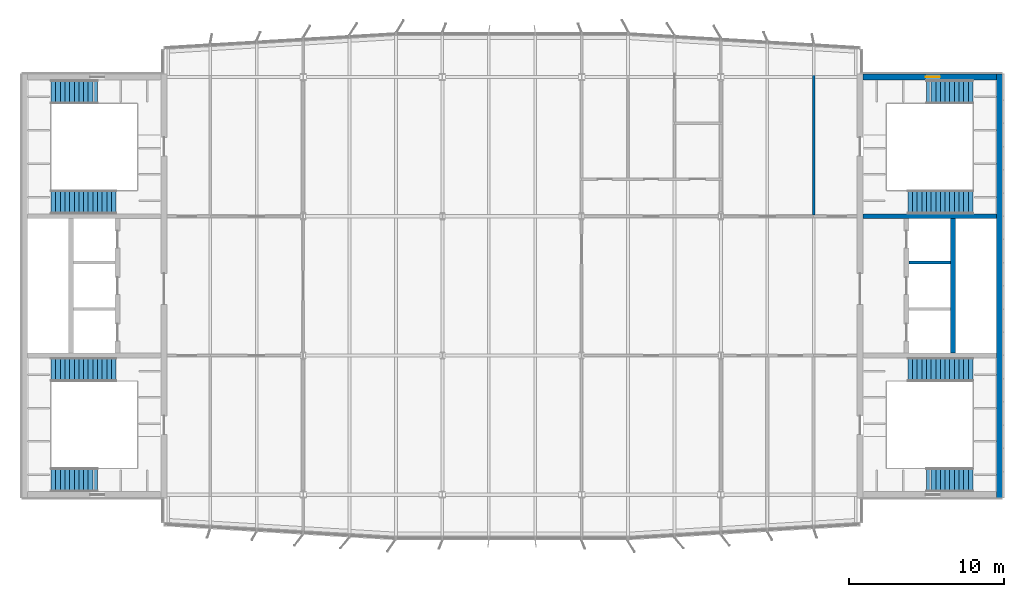
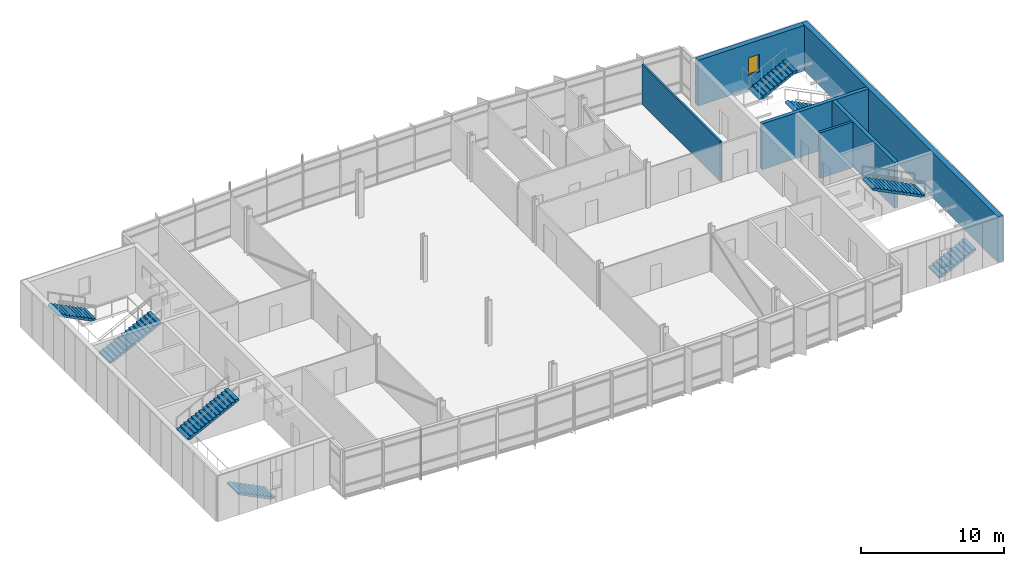
# One storey, part 14 of 18: 8 stair flights, 6 walls, 1 window, 1 opening, 4 elements without a shape of their own.
"""IFC4 building model written with IfcOpenShell, lengths in metres."""

from ifc_helpers import new_model, si_unit, direction, frame, frame_2d, origin, place, context, subcontext, project, spatial, polyline, rectangle, outline, extrude, material, layer, layer_set, type_object, element, fill, aggregate, save


model = new_model("IFC4")

# Units and contexts
model_context = context("Model", 3, precision=1e-05, world=origin(), true_north=direction((0.0, 1.0)))
body_context = subcontext(model_context, "Body", "Model", "MODEL_VIEW")
ifc_project = project(units=[si_unit("LENGTHUNIT", "METRE"), si_unit("AREAUNIT", "SQUARE_METRE"), si_unit("VOLUMEUNIT", "CUBIC_METRE"), si_unit("PLANEANGLEUNIT", "RADIAN"), si_unit("MASSUNIT", "GRAM", prefix="KILO")], contexts=[model_context])

# Site, building, storey
site_placement = place(None, origin())
site = spatial("IfcSite", under=ifc_project, at=site_placement, CompositionType="ELEMENT")
building_placement = place(site_placement, origin())
building = spatial("IfcBuilding", under=site, at=building_placement, Name="Azimuth Sports and Learning Centre", CompositionType="ELEMENT")
storey_placement = place(building_placement, frame((0.0, 0.0, 59.699951171875)))
storey = spatial("IfcBuildingStorey", under=building, at=storey_placement, Name="L13", CompositionType="ELEMENT", Elevation=59.699951171875)

# Walls
ifc_material_1 = material(Name="Dense masonry blockwork", Category="masonry")
ifc_layer_1 = layer(ifc_material_1, 0.199951171875)
ifc_layer_set_1 = layer_set([ifc_layer_1], Name="Dense masonry blockwork")
wall_type_1 = type_object("IfcWallType", Name="Blockwork wall 200 EI 120", PredefinedType="SOLIDWALL", material=ifc_layer_set_1)
wall_1_placement = place(storey_placement, frame((111.14990234375, 105.0, 0.0), z_axis=(0.0, 0.0, 1.0), x_axis=(1.0, 0.0, 0.0)))
element("IfcWall", 1, at=wall_1_placement, inside=storey, type_object=wall_type_1, Name="SD-E-2-L13", PredefinedType="SOLIDWALL", context=body_context, shape_type="SweptSolid", body=[
    extrude(rectangle(XDim=2.7001953125, YDim=0.199951171875, at=frame_2d((1.35009765625, 0.0))), origin(), (0.0, 0.0, 1.0), 3.900146484375),
])
ifc_material_2 = material(Name="Lightweight blockwork, rendered", Category="masonry")
ifc_layer_2 = layer(ifc_material_2, 0.14990234375)
ifc_layer_set_2 = layer_set([ifc_layer_2], Name="Lightweight blockwork, rendered")
wall_type_2 = type_object("IfcWallType", Name="Partition 150 EI 60", PredefinedType="PARTITIONING", material=ifc_layer_set_2)
wall_2_placement = place(storey_placement, frame((105.0, 108.074951171875, 0.0), z_axis=(0.0, 0.0, 1.0), x_axis=(0.0, 1.0, 0.0)))
element("IfcWall", 2, at=wall_2_placement, inside=storey, type_object=wall_type_2, Name="Partition Stair Lobby E2 13.04 / Classroom 13.18", PredefinedType="PARTITIONING", context=body_context, shape_type="SweptSolid", body=[
    extrude(rectangle(XDim=10.905029296875, YDim=0.14990234375, at=frame_2d((5.45263671875, 0.0))), origin(), (0.0, 0.0, 1.0), 3.41015625),
])
ifc_material_3 = material(Name="Concrete C40/50", Category="concrete")
ifc_layer_3 = layer(ifc_material_3, 0.300048828125)
ifc_layer_set_3 = layer_set([ifc_layer_3], Name="Concrete C40/50")
wall_type_3 = type_object("IfcWallType", Name="RC core wall 300", PredefinedType="SHEAR", material=ifc_layer_set_3)
wall_3_placement = place(storey_placement, frame((108.199951171875, 108.0, 0.0), z_axis=(0.0, 0.0, 1.0), x_axis=(1.0, 0.0, 0.0)))
element("IfcWall", 3, at=wall_3_placement, inside=storey, type_object=wall_type_3, Name="Core wall E D2 L13", PredefinedType="SHEAR", context=body_context, shape_type="SweptSolid", body=[
    extrude(rectangle(XDim=8.60009765625, YDim=0.300048828125, at=frame_2d((4.300048828125, 0.0))), origin(), (0.0, 0.0, 1.0), 3.900146484375),
])
wall_4_placement = place(storey_placement, frame((114.0, 99.14990234375, 0.0), z_axis=(0.0, 0.0, 1.0), x_axis=(0.0, 1.0, 0.0)))
element("IfcWall", 4, at=wall_4_placement, inside=storey, type_object=wall_type_3, Name="Core wall E LB2 L13", PredefinedType="SHEAR", context=body_context, shape_type="SweptSolid", body=[
    extrude(rectangle(XDim=8.7001953125, YDim=0.300048828125, at=frame_2d((4.35009765625, 0.0))), origin(), (0.0, 0.0, 1.0), 3.900146484375),
])

# Wall, opening, window
ifc_material_4 = material(Name="Concrete C40/50", Category="concrete")
ifc_layer_4 = layer(ifc_material_4, 0.39990234375)
ifc_layer_set_4 = layer_set([ifc_layer_4], Name="Concrete C40/50")
wall_type_4 = type_object("IfcWallType", Name="RC external core wall 400", PredefinedType="SHEAR", material=ifc_layer_set_4)
wall_5_placement = place(storey_placement, frame((108.199951171875, 117.0, 0.0), z_axis=(0.0, 0.0, 1.0), x_axis=(1.0, 0.0, 0.0)))
wall_5 = element("IfcWall", 5, at=wall_5_placement, inside=storey, type_object=wall_type_4, Name="Core wall E N L13", PredefinedType="SHEAR", context=body_context, shape_type="SweptSolid", body=[
    extrude(rectangle(XDim=8.60009765625, YDim=0.39990234375, at=frame_2d((4.300048828125, 0.0))), origin(), (0.0, 0.0, 1.0), 3.900146484375),
])
opening_placement = place(wall_5_placement, frame((4.050048828125, 0.0, 1.199951171875)))
opening = element("IfcOpeningElement", 6, at=opening_placement, cuts=wall_5, Name="Opening W13-003", PredefinedType="OPENING", context=body_context, shape_type="SweptSolid", body=[
    extrude(rectangle(XDim=0.89990234375, YDim=1.5, at=frame_2d((0.449951171875, 0.75))), frame((0.0, 0.2109375, 0.0), z_axis=(0.0, -1.0, 0.0), x_axis=(1.0, 0.0, 0.0)), (0.0, 0.0, 1.0), 0.421875),
])
ifc_material_5 = material(Name="Aluminium and glass", Category="aluminium")
window_type = type_object("IfcWindowType", Name="Stair window tower core 900x1500", PartitioningType="SINGLE_PANEL", PredefinedType="WINDOW", material=ifc_material_5)
window_placement = place(opening_placement, origin())
window = element("IfcWindow", 7, at=window_placement, inside=storey, type_object=window_type, Name="Window W13-003", OverallHeight=1.5, OverallWidth=0.89990234375, PartitioningType="SINGLE_PANEL", PredefinedType="WINDOW", context=body_context, shape_type="SweptSolid", body=[
    extrude(rectangle(XDim=0.89990234375, YDim=1.5, at=frame_2d((0.449951171875, 0.75))), frame((0.0, 0.030029296875, 0.0), z_axis=(0.0, -1.0, 0.0), x_axis=(1.0, 0.0, 0.0)), (0.0, 0.0, 1.0), 0.06005859375),
])
fill(opening, window)

# Wall
wall_6_placement = place(storey_placement, frame((117.0, 89.800048828125, 0.0), z_axis=(0.0, 0.0, 1.0), x_axis=(0.0, 1.0, 0.0)))
element("IfcWall", 8, at=wall_6_placement, inside=storey, type_object=wall_type_4, Name="Core wall E E L13", PredefinedType="SHEAR", context=body_context, shape_type="SweptSolid", body=[
    extrude(rectangle(XDim=27.39990234375, YDim=0.39990234375, at=frame_2d((13.699951171875, 0.0))), origin(), (0.0, 0.0, 1.0), 3.900146484375),
])

# Stair, stair flight
ifc_material_6 = material(Name="Concrete C32/40", Category="concrete")
stair_type = type_object("IfcStairType", Name="Square-well stair core 3900 storey", PredefinedType="THREE_QUARTER_TURN_STAIR", material=ifc_material_6)
stair_1_placement = place(storey_placement, origin())
stair_1 = element("IfcStair", 9, at=stair_1_placement, inside=storey, type_object=stair_type, Name="Stair W1 L13-L14", PredefinedType="THREE_QUARTER_TURN_STAIR")
ifc_material_7 = material(Name="Concrete C32/40", Category="concrete")
stair_flight_type_1 = type_object("IfcStairFlightType", Name="Stair flight 11 risers", PredefinedType="STRAIGHT", material=ifc_material_7)
stair_flight_1_placement = place(storey_placement, frame((58.7099609375, 90.9599609375, 0.0), z_axis=(0.0, 0.0, 1.0), x_axis=(-1.0, 0.0, 0.0)))
stair_flight_1 = element("IfcStairFlight", 10, at=stair_flight_1_placement, type_object=stair_flight_type_1, Name="Stair W1 L13 flight 1", NumberOfRisers=11, NumberOfTreads=10, PredefinedType="STRAIGHT", RiserHeight=0.15, TreadLength=0.3, context=body_context, shape_type="SweptSolid", body=[
    extrude(outline(polyline([(0.0, 0.0), (0.0, 0.14990234375), (0.300048828125, 0.14990234375), (0.300048828125, 0.300048828125), (0.60009765625, 0.300048828125), (0.60009765625, 0.449951171875), (0.89990234375, 0.449951171875), (0.89990234375, 0.60009765625), (1.199951171875, 0.60009765625), (1.199951171875, 0.75), (1.5, 0.75), (1.5, 0.89990234375), (1.800048828125, 0.89990234375), (1.800048828125, 1.050048828125), (2.10009765625, 1.050048828125), (2.10009765625, 1.199951171875), (2.39990234375, 1.199951171875), (2.39990234375, 1.35009765625), (2.699951171875, 1.35009765625), (2.699951171875, 1.5), (3.0, 1.5), (3.0, 1.64990234375), (3.0, 1.33251953125), (0.335205078125, 0.0), (0.0, 0.0)])), frame((0.0, 0.75, 0.0), z_axis=(0.0, -1.0, 0.0), x_axis=(1.0, 0.0, 0.0)), (0.0, 0.0, 1.0), 1.5),
])

stair_2_placement = place(storey_placement, origin())
stair_2 = element("IfcStair", 11, at=stair_2_placement, inside=storey, type_object=stair_type, Name="Stair W2 L13-L14", PredefinedType="THREE_QUARTER_TURN_STAIR")
stair_flight_2_placement = place(storey_placement, frame((58.7099609375, 116.0400390625, 0.0), z_axis=(0.0, 0.0, 1.0), x_axis=(-1.0, 0.0, 0.0)))
stair_flight_2 = element("IfcStairFlight", 12, at=stair_flight_2_placement, type_object=stair_flight_type_1, Name="Stair W2 L13 flight 1", NumberOfRisers=11, NumberOfTreads=10, PredefinedType="STRAIGHT", RiserHeight=0.15, TreadLength=0.3, context=body_context, shape_type="SweptSolid", body=[
    extrude(outline(polyline([(0.0, 0.0), (0.0, 0.14990234375), (0.300048828125, 0.14990234375), (0.300048828125, 0.300048828125), (0.60009765625, 0.300048828125), (0.60009765625, 0.449951171875), (0.89990234375, 0.449951171875), (0.89990234375, 0.60009765625), (1.199951171875, 0.60009765625), (1.199951171875, 0.75), (1.5, 0.75), (1.5, 0.89990234375), (1.800048828125, 0.89990234375), (1.800048828125, 1.050048828125), (2.10009765625, 1.050048828125), (2.10009765625, 1.199951171875), (2.39990234375, 1.199951171875), (2.39990234375, 1.35009765625), (2.699951171875, 1.35009765625), (2.699951171875, 1.5), (3.0, 1.5), (3.0, 1.64990234375), (3.0, 1.33251953125), (0.335205078125, 0.0), (0.0, 0.0)])), frame((0.0, 0.75, 0.0), z_axis=(0.0, -1.0, 0.0), x_axis=(1.0, 0.0, 0.0)), (0.0, 0.0, 1.0), 1.5),
])

stair_3_placement = place(storey_placement, origin())
stair_3 = element("IfcStair", 13, at=stair_3_placement, inside=storey, type_object=stair_type, Name="Stair E1 L13-L14", PredefinedType="THREE_QUARTER_TURN_STAIR")
stair_flight_3_placement = place(storey_placement, frame((112.2900390625, 90.9599609375, 0.0), z_axis=(0.0, 0.0, 1.0), x_axis=(1.0, 0.0, 0.0)))
stair_flight_3 = element("IfcStairFlight", 14, at=stair_flight_3_placement, type_object=stair_flight_type_1, Name="Stair E1 L13 flight 1", NumberOfRisers=11, NumberOfTreads=10, PredefinedType="STRAIGHT", RiserHeight=0.15, TreadLength=0.3, context=body_context, shape_type="SweptSolid", body=[
    extrude(outline(polyline([(0.0, 0.0), (0.0, 0.14990234375), (0.300048828125, 0.14990234375), (0.300048828125, 0.300048828125), (0.60009765625, 0.300048828125), (0.60009765625, 0.449951171875), (0.89990234375, 0.449951171875), (0.89990234375, 0.60009765625), (1.199951171875, 0.60009765625), (1.199951171875, 0.75), (1.5, 0.75), (1.5, 0.89990234375), (1.800048828125, 0.89990234375), (1.800048828125, 1.050048828125), (2.10009765625, 1.050048828125), (2.10009765625, 1.199951171875), (2.39990234375, 1.199951171875), (2.39990234375, 1.35009765625), (2.699951171875, 1.35009765625), (2.699951171875, 1.5), (3.0, 1.5), (3.0, 1.64990234375), (3.0, 1.33251953125), (0.335205078125, 0.0), (0.0, 0.0)])), frame((0.0, 0.75, 0.0), z_axis=(0.0, -1.0, 0.0), x_axis=(1.0, 0.0, 0.0)), (0.0, 0.0, 1.0), 1.5),
])

stair_4_placement = place(storey_placement, origin())
stair_4 = element("IfcStair", 15, at=stair_4_placement, inside=storey, type_object=stair_type, Name="Stair E2 L13-L14", PredefinedType="THREE_QUARTER_TURN_STAIR")
stair_flight_4_placement = place(storey_placement, frame((112.2900390625, 116.0400390625, 0.0), z_axis=(0.0, 0.0, 1.0), x_axis=(1.0, 0.0, 0.0)))
stair_flight_4 = element("IfcStairFlight", 16, at=stair_flight_4_placement, type_object=stair_flight_type_1, Name="Stair E2 L13 flight 1", NumberOfRisers=11, NumberOfTreads=10, PredefinedType="STRAIGHT", RiserHeight=0.15, TreadLength=0.3, context=body_context, shape_type="SweptSolid", body=[
    extrude(outline(polyline([(0.0, 0.0), (0.0, 0.14990234375), (0.300048828125, 0.14990234375), (0.300048828125, 0.300048828125), (0.60009765625, 0.300048828125), (0.60009765625, 0.449951171875), (0.89990234375, 0.449951171875), (0.89990234375, 0.60009765625), (1.199951171875, 0.60009765625), (1.199951171875, 0.75), (1.5, 0.75), (1.5, 0.89990234375), (1.800048828125, 0.89990234375), (1.800048828125, 1.050048828125), (2.10009765625, 1.050048828125), (2.10009765625, 1.199951171875), (2.39990234375, 1.199951171875), (2.39990234375, 1.35009765625), (2.699951171875, 1.35009765625), (2.699951171875, 1.5), (3.0, 1.5), (3.0, 1.64990234375), (3.0, 1.33251953125), (0.335205078125, 0.0), (0.0, 0.0)])), frame((0.0, 0.75, 0.0), z_axis=(0.0, -1.0, 0.0), x_axis=(1.0, 0.0, 0.0)), (0.0, 0.0, 1.0), 1.5),
])

# Stair flight
ifc_material_8 = material(Name="Concrete C32/40", Category="concrete")
stair_flight_type_2 = type_object("IfcStairFlightType", Name="Stair flight 15 risers", PredefinedType="STRAIGHT", material=ifc_material_8)
stair_flight_5_placement = place(storey_placement, frame((55.7099609375, 98.090087890625, 1.650146484375), z_axis=(0.0, 0.0, 1.0), x_axis=(1.0, 0.0, 0.0)))
stair_flight_5 = element("IfcStairFlight", 17, at=stair_flight_5_placement, type_object=stair_flight_type_2, Name="Stair W1 L13 flight 2", NumberOfRisers=15, NumberOfTreads=14, PredefinedType="STRAIGHT", RiserHeight=0.15, TreadLength=0.3, context=body_context, shape_type="SweptSolid", body=[
    extrude(outline(polyline([(0.0, 0.0), (0.0, 0.14990234375), (0.300048828125, 0.14990234375), (0.300048828125, 0.300048828125), (0.60009765625, 0.300048828125), (0.60009765625, 0.449951171875), (0.89990234375, 0.449951171875), (0.89990234375, 0.60009765625), (1.199951171875, 0.60009765625), (1.199951171875, 0.75), (1.5, 0.75), (1.5, 0.89990234375), (1.800048828125, 0.89990234375), (1.800048828125, 1.050048828125), (2.10009765625, 1.050048828125), (2.10009765625, 1.199951171875), (2.39990234375, 1.199951171875), (2.39990234375, 1.35009765625), (2.699951171875, 1.35009765625), (2.699951171875, 1.5), (3.0, 1.5), (3.0, 1.64990234375), (3.300048828125, 1.64990234375), (3.300048828125, 1.800048828125), (3.60009765625, 1.800048828125), (3.60009765625, 1.949951171875), (3.89990234375, 1.949951171875), (3.89990234375, 2.10009765625), (4.199951171875, 2.10009765625), (4.199951171875, 2.25), (4.199951171875, 1.932373046875), (0.335205078125, 0.0), (0.0, 0.0)])), frame((0.0, 0.75, 0.0), z_axis=(0.0, -1.0, 0.0), x_axis=(1.0, 0.0, 0.0)), (0.0, 0.0, 1.0), 1.5),
])

aggregate(stair_1, [stair_flight_1, stair_flight_5])

stair_flight_6_placement = place(storey_placement, frame((55.7099609375, 108.909912109375, 1.650146484375), z_axis=(0.0, 0.0, 1.0), x_axis=(1.0, 0.0, 0.0)))
stair_flight_6 = element("IfcStairFlight", 18, at=stair_flight_6_placement, type_object=stair_flight_type_2, Name="Stair W2 L13 flight 2", NumberOfRisers=15, NumberOfTreads=14, PredefinedType="STRAIGHT", RiserHeight=0.15, TreadLength=0.3, context=body_context, shape_type="SweptSolid", body=[
    extrude(outline(polyline([(0.0, 0.0), (0.0, 0.14990234375), (0.300048828125, 0.14990234375), (0.300048828125, 0.300048828125), (0.60009765625, 0.300048828125), (0.60009765625, 0.449951171875), (0.89990234375, 0.449951171875), (0.89990234375, 0.60009765625), (1.199951171875, 0.60009765625), (1.199951171875, 0.75), (1.5, 0.75), (1.5, 0.89990234375), (1.800048828125, 0.89990234375), (1.800048828125, 1.050048828125), (2.10009765625, 1.050048828125), (2.10009765625, 1.199951171875), (2.39990234375, 1.199951171875), (2.39990234375, 1.35009765625), (2.699951171875, 1.35009765625), (2.699951171875, 1.5), (3.0, 1.5), (3.0, 1.64990234375), (3.300048828125, 1.64990234375), (3.300048828125, 1.800048828125), (3.60009765625, 1.800048828125), (3.60009765625, 1.949951171875), (3.89990234375, 1.949951171875), (3.89990234375, 2.10009765625), (4.199951171875, 2.10009765625), (4.199951171875, 2.25), (4.199951171875, 1.932373046875), (0.335205078125, 0.0), (0.0, 0.0)])), frame((0.0, 0.75, 0.0), z_axis=(0.0, -1.0, 0.0), x_axis=(1.0, 0.0, 0.0)), (0.0, 0.0, 1.0), 1.5),
])

aggregate(stair_2, [stair_flight_2, stair_flight_6])

stair_flight_7_placement = place(storey_placement, frame((115.2900390625, 98.090087890625, 1.650146484375), z_axis=(0.0, 0.0, 1.0), x_axis=(-1.0, 0.0, 0.0)))
stair_flight_7 = element("IfcStairFlight", 19, at=stair_flight_7_placement, type_object=stair_flight_type_2, Name="Stair E1 L13 flight 2", NumberOfRisers=15, NumberOfTreads=14, PredefinedType="STRAIGHT", RiserHeight=0.15, TreadLength=0.3, context=body_context, shape_type="SweptSolid", body=[
    extrude(outline(polyline([(0.0, 0.0), (0.0, 0.14990234375), (0.300048828125, 0.14990234375), (0.300048828125, 0.300048828125), (0.60009765625, 0.300048828125), (0.60009765625, 0.449951171875), (0.89990234375, 0.449951171875), (0.89990234375, 0.60009765625), (1.199951171875, 0.60009765625), (1.199951171875, 0.75), (1.5, 0.75), (1.5, 0.89990234375), (1.800048828125, 0.89990234375), (1.800048828125, 1.050048828125), (2.10009765625, 1.050048828125), (2.10009765625, 1.199951171875), (2.39990234375, 1.199951171875), (2.39990234375, 1.35009765625), (2.699951171875, 1.35009765625), (2.699951171875, 1.5), (3.0, 1.5), (3.0, 1.64990234375), (3.300048828125, 1.64990234375), (3.300048828125, 1.800048828125), (3.60009765625, 1.800048828125), (3.60009765625, 1.949951171875), (3.89990234375, 1.949951171875), (3.89990234375, 2.10009765625), (4.199951171875, 2.10009765625), (4.199951171875, 2.25), (4.199951171875, 1.932373046875), (0.335205078125, 0.0), (0.0, 0.0)])), frame((0.0, 0.75, 0.0), z_axis=(0.0, -1.0, 0.0), x_axis=(1.0, 0.0, 0.0)), (0.0, 0.0, 1.0), 1.5),
])

aggregate(stair_3, [stair_flight_3, stair_flight_7])

stair_flight_8_placement = place(storey_placement, frame((115.2900390625, 108.909912109375, 1.650146484375), z_axis=(0.0, 0.0, 1.0), x_axis=(-1.0, 0.0, 0.0)))
stair_flight_8 = element("IfcStairFlight", 20, at=stair_flight_8_placement, type_object=stair_flight_type_2, Name="Stair E2 L13 flight 2", NumberOfRisers=15, NumberOfTreads=14, PredefinedType="STRAIGHT", RiserHeight=0.15, TreadLength=0.3, context=body_context, shape_type="SweptSolid", body=[
    extrude(outline(polyline([(0.0, 0.0), (0.0, 0.14990234375), (0.300048828125, 0.14990234375), (0.300048828125, 0.300048828125), (0.60009765625, 0.300048828125), (0.60009765625, 0.449951171875), (0.89990234375, 0.449951171875), (0.89990234375, 0.60009765625), (1.199951171875, 0.60009765625), (1.199951171875, 0.75), (1.5, 0.75), (1.5, 0.89990234375), (1.800048828125, 0.89990234375), (1.800048828125, 1.050048828125), (2.10009765625, 1.050048828125), (2.10009765625, 1.199951171875), (2.39990234375, 1.199951171875), (2.39990234375, 1.35009765625), (2.699951171875, 1.35009765625), (2.699951171875, 1.5), (3.0, 1.5), (3.0, 1.64990234375), (3.300048828125, 1.64990234375), (3.300048828125, 1.800048828125), (3.60009765625, 1.800048828125), (3.60009765625, 1.949951171875), (3.89990234375, 1.949951171875), (3.89990234375, 2.10009765625), (4.199951171875, 2.10009765625), (4.199951171875, 2.25), (4.199951171875, 1.932373046875), (0.335205078125, 0.0), (0.0, 0.0)])), frame((0.0, 0.75, 0.0), z_axis=(0.0, -1.0, 0.0), x_axis=(1.0, 0.0, 0.0)), (0.0, 0.0, 1.0), 1.5),
])

aggregate(stair_4, [stair_flight_4, stair_flight_8])

save(model, "model.ifc")
